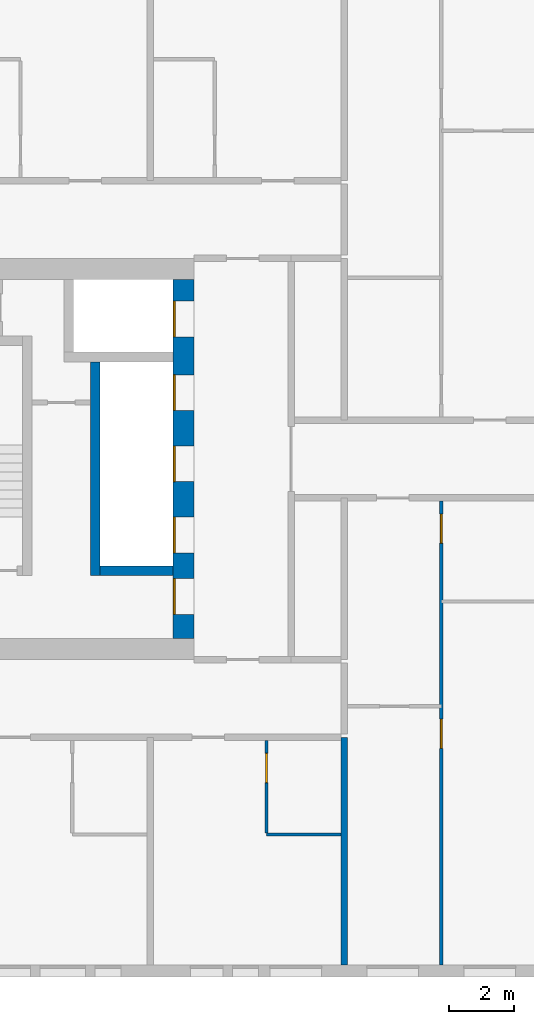
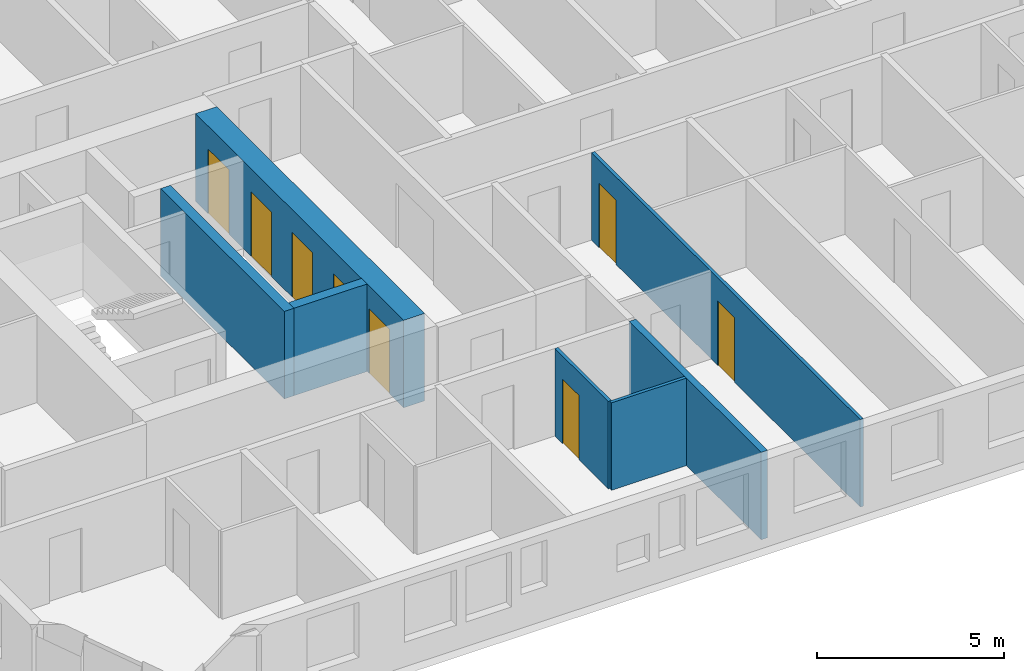
# One storey, part 3 of 17: 8 doors, 7 walls, 8 openings.
"""IFC4 building model written with IfcOpenShell, lengths in metres."""

import ifcopenshell
import ifcopenshell.guid

model = None  # the IFC model being written
_history = None  # IfcOwnerHistory: only IFC2X3 demands one
_inside = {}  # id of a spatial element -> (the spatial element, [elements in it])
_under = {}  # id of a project, library or spatial element -> (it, [spatial elements below it])
_declared = {}  # id of a project -> (the project, [libraries it declares])
_typed = {}  # id of a type object -> (the type object, [elements of that type])
_made_of = {}  # id of a material, layer set ... -> (it, [elements and type objects made of it])


def new_model(schema):
    """Start an empty IFC model of exactly this schema.

    Asked for "IFC4X3", IfcOpenShell would pick the latest addendum, in which some entities
    have other attributes; the version numbers below select the first issue.
    IFC2X3 requires an IfcOwnerHistory on every rooted entity: one is made here for all.
    """
    global model, _history
    if schema == "IFC4X3":
        model = ifcopenshell.file(schema_version=(4, 3, 0, 0))
    else:
        model = ifcopenshell.file(schema=schema)
    _inside.clear()
    _under.clear()
    _declared.clear()
    _typed.clear()
    _made_of.clear()
    _history = None
    if model.schema == "IFC2X3":
        org = make("IfcOrganization", Name="unknown")
        user = make(
            "IfcPersonAndOrganization",
            ThePerson=make("IfcPerson", FamilyName="unknown"),
            TheOrganization=org,
        )
        app = make(
            "IfcApplication",
            ApplicationDeveloper=org,
            Version="unknown",
            ApplicationFullName="unknown",
            ApplicationIdentifier="unknown",
        )
        _history = make(
            "IfcOwnerHistory",
            OwningUser=user,
            OwningApplication=app,
            ChangeAction="ADDED",
            CreationDate=0,
        )
    return model


def make(cls, **values):
    """One entity of the class cls with the attributes given. An attribute that is None is left unset."""
    return model.create_entity(
        cls, **{name: value for name, value in values.items() if value is not None}
    )


def rooted(cls, **values):
    """An entity with a GlobalId (a new one), such as an element, a storey or a relation."""
    return make(cls, GlobalId=ifcopenshell.guid.new(), OwnerHistory=_history, **values)


def si_unit(unit_type, name, prefix=None):
    """IfcSIUnit, for example si_unit("LENGTHUNIT", "METRE", prefix="MILLI")."""
    return make("IfcSIUnit", UnitType=unit_type, Prefix=prefix, Name=name)


def assignment(units):
    """IfcUnitAssignment: the units of a project."""
    return None if units is None else make("IfcUnitAssignment", Units=units)


def point(xyz):
    """IfcCartesianPoint."""
    return None if xyz is None else make("IfcCartesianPoint", Coordinates=xyz)


def direction(xyz):
    """IfcDirection."""
    return None if xyz is None else make("IfcDirection", DirectionRatios=xyz)


def frame(location, z_axis=None, x_axis=None):
    """IfcAxis2Placement3D, a coordinate frame: its origin and axes. An axis left out is left unset."""
    return make(
        "IfcAxis2Placement3D",
        Location=point(location),
        Axis=direction(z_axis),
        RefDirection=direction(x_axis),
    )


def frame_2d(location, x_axis=None):
    """IfcAxis2Placement2D, a coordinate frame in the plane: its origin and x axis."""
    return make(
        "IfcAxis2Placement2D", Location=point(location), RefDirection=direction(x_axis)
    )


def origin():
    """The frame at (0, 0, 0) with its axes left unset."""
    return frame((0.0, 0.0, 0.0))


def place(relative_to, where):
    """IfcLocalPlacement: puts the frame where relative to a parent placement (None: the world)."""
    return make(
        "IfcLocalPlacement", PlacementRelTo=relative_to, RelativePlacement=where
    )


def context(
    kind, dimensions, precision=None, world=None, true_north=None, identifier=None
):
    """IfcGeometricRepresentationContext, for example the 3D "Model" context."""
    return make(
        "IfcGeometricRepresentationContext",
        ContextIdentifier=identifier,
        ContextType=kind,
        CoordinateSpaceDimension=dimensions,
        Precision=precision,
        WorldCoordinateSystem=world,
        TrueNorth=true_north,
    )


def subcontext(parent, identifier, kind, view, scale=None):
    """IfcGeometricRepresentationSubContext, for example "Body" below "Model"."""
    return make(
        "IfcGeometricRepresentationSubContext",
        ContextIdentifier=identifier,
        ContextType=kind,
        ParentContext=parent,
        TargetScale=scale,
        TargetView=view,
    )


def project(units=None, contexts=None):
    """IfcProject with its units and contexts."""
    return rooted(
        "IfcProject",
        Name="project",
        RepresentationContexts=contexts,
        UnitsInContext=assignment(units),
    )


def spatial(cls, under=None, at=None, **own):
    """A site, building, storey or space (cls), placed at a placement, below another one or the project."""
    s = rooted(cls, ObjectPlacement=at, **own)
    if under is not None:
        _under.setdefault(under.id(), (under, []))[1].append(s)
    return s


def profile(cls, at=None, kind="AREA", **sizes):
    """A parametric profile (cls). Its sizes go by their IFC names, for example OverallWidth=200.0."""
    return make(cls, ProfileType=kind, Position=at, **sizes)


def rectangle(**sizes):
    """IfcRectangleProfileDef."""
    return profile("IfcRectangleProfileDef", **sizes)


def extrude(swept, where, along, depth):
    """IfcExtrudedAreaSolid: the profile swept, set in the frame where, extruded along a direction by depth."""
    return make(
        "IfcExtrudedAreaSolid",
        SweptArea=swept,
        Position=where,
        ExtrudedDirection=direction(along),
        Depth=depth,
    )


def shape(context_of_items, identifier, shape_type, items):
    """IfcShapeRepresentation: the items that make up one representation, for example the "Body"."""
    return make(
        "IfcShapeRepresentation",
        ContextOfItems=context_of_items,
        RepresentationIdentifier=identifier,
        RepresentationType=shape_type,
        Items=items,
    )


def material(Name=None, Category=None):
    """IfcMaterial."""
    return make("IfcMaterial", Name=Name, Category=Category)


def layer(
    of_material, thickness, ventilated=None, Name=None, Category=None, Priority=None
):
    """IfcMaterialLayer: one layer of a wall or slab, of a material (None: an air gap)."""
    return make(
        "IfcMaterialLayer",
        Material=of_material,
        LayerThickness=thickness,
        IsVentilated=ventilated,
        Name=Name,
        Category=Category,
        Priority=Priority,
    )


def layer_set(layers, Name=None):
    """IfcMaterialLayerSet."""
    return make("IfcMaterialLayerSet", MaterialLayers=layers, LayerSetName=Name)


def made_of(thing, what):
    """Note that an element or type object is made of a material, layer set ...; save() writes the relation."""
    if what is not None:
        _made_of.setdefault(what.id(), (what, []))[1].append(thing)
    return thing


def type_object(cls, material=None, **own):
    """A type object (cls), such as IfcWallType, which elements share."""
    return made_of(rooted(cls, **own), material)


def element(
    cls,
    number,
    at=None,
    inside=None,
    cuts=None,
    type_object=None,
    material=None,
    context=None,
    identifier="Body",
    shape_type=None,
    held_by="IfcProductDefinitionShape",
    body=None,
    shapes=None,
    **own,
):
    """One element of the class cls, such as IfcWall. Its Tag is "e" and its number.

    at: its placement. inside: the storey or other place that contains it. cuts: it is an
    opening in that element (IfcRelVoidsElement). A single representation is given by context,
    identifier, shape_type and body (its items); several are given by shapes. held_by: the class
    of the entity that holds the representations. save() writes the other relations.
    """
    e = rooted(cls, Tag="e%d" % number, ObjectPlacement=at, **own)
    if body is not None:
        shapes = [shape(context, identifier, shape_type, body)]
    if shapes is not None:
        e.Representation = make(held_by, Representations=shapes)
    if inside is not None:
        _inside.setdefault(inside.id(), (inside, []))[1].append(e)
    if cuts is not None:
        rooted(
            "IfcRelVoidsElement", RelatingBuildingElement=cuts, RelatedOpeningElement=e
        )
    if type_object is not None:
        _typed.setdefault(type_object.id(), (type_object, []))[1].append(e)
    return made_of(e, material)


def fill(opening, filler):
    """IfcRelFillsElement: the door or window that sits in an opening."""
    return rooted(
        "IfcRelFillsElement",
        RelatingOpeningElement=opening,
        RelatedBuildingElement=filler,
    )


def aggregate(whole, parts):
    """IfcRelAggregates: a whole, such as a stair, and the parts it consists of."""
    return rooted("IfcRelAggregates", RelatingObject=whole, RelatedObjects=parts)


def save(model, path):
    """Write the relations noted so far, then the file.

    IfcRelAggregates (storeys below a building ...), IfcRelContainedInSpatialStructure (elements
    in a storey), IfcRelDefinesByType, IfcRelAssociatesMaterial and IfcRelDeclares: one each for
    every whole, place, type object, material and project.
    """
    for whole, parts in _under.values():
        aggregate(whole, parts)
    for where, things in _inside.values():
        rooted(
            "IfcRelContainedInSpatialStructure",
            RelatedElements=things,
            RelatingStructure=where,
        )
    for kind, things in _typed.values():
        rooted("IfcRelDefinesByType", RelatedObjects=things, RelatingType=kind)
    for what, things in _made_of.values():
        rooted("IfcRelAssociatesMaterial", RelatedObjects=things, RelatingMaterial=what)
    for by, libraries in _declared.values():
        rooted("IfcRelDeclares", RelatingContext=by, RelatedDefinitions=libraries)
    model.write(path)


model = new_model("IFC4")

# Units and contexts
model_context = context("Model", 3, precision=1e-05, world=origin(), true_north=direction((0.0, 1.0)))
body_context = subcontext(model_context, "Body", "Model", "MODEL_VIEW")
ifc_project = project(units=[si_unit("LENGTHUNIT", "METRE"), si_unit("AREAUNIT", "SQUARE_METRE"), si_unit("VOLUMEUNIT", "CUBIC_METRE"), si_unit("PLANEANGLEUNIT", "RADIAN"), si_unit("MASSUNIT", "GRAM", prefix="KILO")], contexts=[model_context])

# Site, building, storey
site_placement = place(None, origin())
site = spatial("IfcSite", under=ifc_project, at=site_placement, CompositionType="ELEMENT")
building_placement = place(site_placement, origin())
building = spatial("IfcBuilding", under=site, at=building_placement, Name="Tuart Gate Housing", CompositionType="ELEMENT")
storey_placement = place(building_placement, frame((0.0, 0.0, 105.699951171875)))
storey = spatial("IfcBuildingStorey", under=building, at=storey_placement, Name="L29", CompositionType="ELEMENT", Elevation=105.699951171875)

# Walls
ifc_material_1 = material(Name="Concrete C50", Category="concrete")
ifc_layer_1 = layer(ifc_material_1, 0.300048828125)
ifc_layer_set_1 = layer_set([ifc_layer_1], Name="Core wall 300 C50")
wall_type_1 = type_object("IfcWallType", Name="Core wall 300 C50", PredefinedType="SHEAR", material=ifc_layer_set_1)
wall_1_placement = place(storey_placement, frame((40.7099609375, 66.550048828125, 0.0), z_axis=(0.0, 0.0, 1.0), x_axis=(-1.0, 0.0, 0.0)))
element("IfcWall", 1, at=wall_1_placement, inside=storey, type_object=wall_type_1, Name="Core wall AK.4", PredefinedType="SHEAR", context=body_context, shape_type="SweptSolid", body=[
    extrude(rectangle(XDim=2.25, YDim=0.300048828125, at=frame_2d((1.125, 0.0))), origin(), (0.0, 0.0, 1.0), 2.85009765625),
])
wall_2_placement = place(storey_placement, frame((38.31005859375, 73.0, 0.0), z_axis=(0.0, 0.0, 1.0), x_axis=(0.0, -1.0, 0.0)))
element("IfcWall", 2, at=wall_2_placement, inside=storey, type_object=wall_type_1, Name="Core wall AK.6", PredefinedType="SHEAR", context=body_context, shape_type="SweptSolid", body=[
    extrude(rectangle(XDim=6.60009765625, YDim=0.300048828125, at=frame_2d((3.300048828125, 0.0))), origin(), (0.0, 0.0, 1.0), 2.85009765625),
])

# Wall, openings, doors
ifc_material_2 = material(Name="Concrete C50", Category="concrete")
ifc_layer_2 = layer(ifc_material_2, 0.64990234375)
ifc_layer_set_2 = layer_set([ifc_layer_2], Name="Core wall 650 C50")
wall_type_2 = type_object("IfcWallType", Name="Core wall 650 C50", PredefinedType="SHEAR", material=ifc_layer_set_2)
wall_3_placement = place(storey_placement, frame((41.034912109375, 75.550048828125, 0.0), z_axis=(0.0, 0.0, 1.0), x_axis=(0.0, -1.0, 0.0)))
wall_3 = element("IfcWall", 3, at=wall_3_placement, inside=storey, type_object=wall_type_2, Name="Core wall AK front", PredefinedType="SHEAR", context=body_context, shape_type="SweptSolid", body=[
    extrude(rectangle(XDim=11.10009765625, YDim=0.64990234375, at=frame_2d((5.550048828125, 0.0))), origin(), (0.0, 0.0, 1.0), 2.85009765625),
])
opening_1_placement = place(wall_3_placement, frame((0.675048828125, 0.0, 0.0)))
opening_1 = element("IfcOpeningElement", 4, at=opening_1_placement, cuts=wall_3, Name="Opening LD-FA2", PredefinedType="OPENING", context=body_context, shape_type="SweptSolid", body=[
    extrude(rectangle(XDim=1.10009765625, YDim=2.10009765625, at=frame_2d((0.550048828125, 1.050048828125))), frame((0.0, 0.3349609375, 0.0), z_axis=(0.0, -1.0, 0.0), x_axis=(1.0, 0.0, 0.0)), (0.0, 0.0, 1.0), 0.669921875),
])
opening_2_placement = place(wall_3_placement, frame((2.949951171875, 0.0, 0.0)))
opening_2 = element("IfcOpeningElement", 5, at=opening_2_placement, cuts=wall_3, Name="Opening LD-LA4", PredefinedType="OPENING", context=body_context, shape_type="SweptSolid", body=[
    extrude(rectangle(XDim=1.10009765625, YDim=2.10009765625, at=frame_2d((0.550048828125, 1.050048828125))), frame((0.0, 0.3349609375, 0.0), z_axis=(0.0, -1.0, 0.0), x_axis=(1.0, 0.0, 0.0)), (0.0, 0.0, 1.0), 0.669921875),
])
opening_3_placement = place(wall_3_placement, frame((5.14990234375, 0.0, 0.0)))
opening_3 = element("IfcOpeningElement", 6, at=opening_3_placement, cuts=wall_3, Name="Opening LD-LA5", PredefinedType="OPENING", context=body_context, shape_type="SweptSolid", body=[
    extrude(rectangle(XDim=1.10009765625, YDim=2.10009765625, at=frame_2d((0.550048828125, 1.050048828125))), frame((0.0, 0.3349609375, 0.0), z_axis=(0.0, -1.0, 0.0), x_axis=(1.0, 0.0, 0.0)), (0.0, 0.0, 1.0), 0.669921875),
])
opening_4_placement = place(wall_3_placement, frame((7.35009765625, 0.0, 0.0)))
opening_4 = element("IfcOpeningElement", 7, at=opening_4_placement, cuts=wall_3, Name="Opening LD-LA6", PredefinedType="OPENING", context=body_context, shape_type="SweptSolid", body=[
    extrude(rectangle(XDim=1.10009765625, YDim=2.10009765625, at=frame_2d((0.550048828125, 1.050048828125))), frame((0.0, 0.3349609375, 0.0), z_axis=(0.0, -1.0, 0.0), x_axis=(1.0, 0.0, 0.0)), (0.0, 0.0, 1.0), 0.669921875),
])
opening_5_placement = place(wall_3_placement, frame((9.25, 0.0, 0.0)))
opening_5 = element("IfcOpeningElement", 8, at=opening_5_placement, cuts=wall_3, Name="Opening D1207", PredefinedType="OPENING", context=body_context, shape_type="SweptSolid", body=[
    extrude(rectangle(XDim=1.10009765625, YDim=2.10009765625, at=frame_2d((0.550048828125, 1.050048828125))), frame((0.0, 0.3349609375, 0.0), z_axis=(0.0, -1.0, 0.0), x_axis=(1.0, 0.0, 0.0)), (0.0, 0.0, 1.0), 0.669921875),
])
ifc_material_3 = material(Name="Stainless steel", Category="steel")
door_type_1 = type_object("IfcDoorType", Name="Landing door 1100 x 2100", OperationType="DOUBLE_DOOR_SLIDING", PredefinedType="DOOR", material=ifc_material_3)
door_1_placement = place(opening_1_placement, origin())
door_1 = element("IfcDoor", 9, at=door_1_placement, inside=storey, type_object=door_type_1, Name="Lift landing door FA2", OperationType="DOUBLE_DOOR_SLIDING", OverallHeight=2.10009765625, OverallWidth=1.10009765625, PredefinedType="DOOR", context=body_context, shape_type="SweptSolid", body=[
    extrude(rectangle(XDim=1.10009765625, YDim=2.10009765625, at=frame_2d((0.550048828125, 1.050048828125))), frame((0.0, -0.259765625, 0.0), z_axis=(0.0, -1.0, 0.0), x_axis=(1.0, 0.0, 0.0)), (0.0, 0.0, 1.0), 0.050048828125),
])
fill(opening_1, door_1)
door_2_placement = place(opening_2_placement, origin())
door_2 = element("IfcDoor", 10, at=door_2_placement, inside=storey, type_object=door_type_1, Name="Lift landing door LA4", OperationType="DOUBLE_DOOR_SLIDING", OverallHeight=2.10009765625, OverallWidth=1.10009765625, PredefinedType="DOOR", context=body_context, shape_type="SweptSolid", body=[
    extrude(rectangle(XDim=1.10009765625, YDim=2.10009765625, at=frame_2d((0.550048828125, 1.050048828125))), frame((0.0, -0.259765625, 0.0), z_axis=(0.0, -1.0, 0.0), x_axis=(1.0, 0.0, 0.0)), (0.0, 0.0, 1.0), 0.050048828125),
])
fill(opening_2, door_2)
door_3_placement = place(opening_3_placement, origin())
door_3 = element("IfcDoor", 11, at=door_3_placement, inside=storey, type_object=door_type_1, Name="Lift landing door LA5", OperationType="DOUBLE_DOOR_SLIDING", OverallHeight=2.10009765625, OverallWidth=1.10009765625, PredefinedType="DOOR", context=body_context, shape_type="SweptSolid", body=[
    extrude(rectangle(XDim=1.10009765625, YDim=2.10009765625, at=frame_2d((0.550048828125, 1.050048828125))), frame((0.0, -0.259765625, 0.0), z_axis=(0.0, -1.0, 0.0), x_axis=(1.0, 0.0, 0.0)), (0.0, 0.0, 1.0), 0.050048828125),
])
fill(opening_3, door_3)
door_4_placement = place(opening_4_placement, origin())
door_4 = element("IfcDoor", 12, at=door_4_placement, inside=storey, type_object=door_type_1, Name="Lift landing door LA6", OperationType="DOUBLE_DOOR_SLIDING", OverallHeight=2.10009765625, OverallWidth=1.10009765625, PredefinedType="DOOR", context=body_context, shape_type="SweptSolid", body=[
    extrude(rectangle(XDim=1.10009765625, YDim=2.10009765625, at=frame_2d((0.550048828125, 1.050048828125))), frame((0.0, -0.259765625, 0.0), z_axis=(0.0, -1.0, 0.0), x_axis=(1.0, 0.0, 0.0)), (0.0, 0.0, 1.0), 0.050048828125),
])
fill(opening_4, door_4)
ifc_material_4 = material(Name="Steel fire door", Category="steel")
door_type_2 = type_object("IfcDoorType", Name="Lobby door 1100 x 2100 RH", OperationType="SINGLE_SWING_RIGHT", PredefinedType="DOOR", material=ifc_material_4)
door_5_placement = place(opening_5_placement, frame((1.10009765625, 0.0, 0.0), z_axis=(0.0, 0.0, 1.0), x_axis=(-1.0, 0.0, 0.0)))
door_5 = element("IfcDoor", 13, at=door_5_placement, inside=storey, type_object=door_type_2, Name="Lobby entry door AK.EN", OperationType="SINGLE_SWING_RIGHT", OverallHeight=2.10009765625, OverallWidth=1.10009765625, PredefinedType="DOOR", context=body_context, shape_type="SweptSolid", body=[
    extrude(rectangle(XDim=1.10009765625, YDim=2.10009765625, at=frame_2d((0.550048828125, 1.050048828125))), frame((0.0, 0.309814453125, 0.0), z_axis=(0.0, -1.0, 0.0), x_axis=(1.0, 0.0, 0.0)), (0.0, 0.0, 1.0), 0.050048828125),
])
fill(opening_5, door_5)

# Wall
ifc_material_5 = material(Name="Gypsum board on steel studs", Category="steel")
ifc_layer_3 = layer(ifc_material_5, 0.10009765625)
ifc_layer_set_3 = layer_set([ifc_layer_3], Name="Partition 100")
wall_type_3 = type_object("IfcWallType", Name="Partition 100", PredefinedType="PARTITIONING", material=ifc_layer_set_3)
wall_4_placement = place(storey_placement, frame((43.60009765625, 58.39990234375, 0.0), z_axis=(0.0, 0.0, 1.0), x_axis=(1.0, 0.0, 0.0)))
element("IfcWall", 14, at=wall_4_placement, inside=storey, type_object=wall_type_3, Name="Partition 100", PredefinedType="PARTITIONING", context=body_context, shape_type="SweptSolid", body=[
    extrude(rectangle(XDim=2.2998046875, YDim=0.10009765625, at=frame_2d((1.14990234375, 0.0))), origin(), (0.0, 0.0, 1.0), 2.85009765625),
])

# Wall, opening, door
wall_5_placement = place(storey_placement, frame((43.60009765625, 58.449951171875, 0.0), z_axis=(0.0, 0.0, 1.0), x_axis=(0.0, 1.0, 0.0)))
wall_5 = element("IfcWall", 15, at=wall_5_placement, inside=storey, type_object=wall_type_3, Name="Partition 100", PredefinedType="PARTITIONING", context=body_context, shape_type="SweptSolid", body=[
    extrude(rectangle(XDim=2.85009765625, YDim=0.10009765625, at=frame_2d((1.425048828125, 0.0))), origin(), (0.0, 0.0, 1.0), 2.85009765625),
])
opening_6_placement = place(wall_5_placement, frame((1.550048828125, 0.0, 0.0)))
opening_6 = element("IfcOpeningElement", 16, at=opening_6_placement, cuts=wall_5, Name="Opening D1234", PredefinedType="OPENING", context=body_context, shape_type="SweptSolid", body=[
    extrude(rectangle(XDim=0.89990234375, YDim=2.10009765625, at=frame_2d((0.449951171875, 1.050048828125))), frame((0.0, 0.06005859375, 0.0), z_axis=(0.0, -1.0, 0.0), x_axis=(1.0, 0.0, 0.0)), (0.0, 0.0, 1.0), 0.1201171875),
])
ifc_material_6 = material(Name="Timber door leaf in steel frame", Category="steel")
door_type_3 = type_object("IfcDoorType", Name="Bathroom door 900", OperationType="SINGLE_SWING_LEFT", PredefinedType="DOOR", material=ifc_material_6)
door_6_placement = place(opening_6_placement, frame((0.89990234375, 0.0, 0.0), z_axis=(0.0, 0.0, 1.0), x_axis=(-1.0, 0.0, 0.0)))
door_6 = element("IfcDoor", 17, at=door_6_placement, inside=storey, type_object=door_type_3, Name="Bathroom door", OperationType="SINGLE_SWING_LEFT", OverallHeight=2.10009765625, OverallWidth=0.89990234375, PredefinedType="DOOR", context=body_context, shape_type="SweptSolid", body=[
    extrude(rectangle(XDim=0.89990234375, YDim=2.10009765625, at=frame_2d((0.449951171875, 1.050048828125))), frame((0.0, 0.025146484375, 0.0), z_axis=(0.0, -1.0, 0.0), x_axis=(1.0, 0.0, 0.0)), (0.0, 0.0, 1.0), 0.050048828125),
])
fill(opening_6, door_6)

# Wall, openings, doors
wall_6_placement = place(storey_placement, frame((49.0, 54.360107421875, 0.0), z_axis=(0.0, 0.0, 1.0), x_axis=(0.0, 1.0, 0.0)))
wall_6 = element("IfcWall", 18, at=wall_6_placement, inside=storey, type_object=wall_type_3, Name="Partition 100", PredefinedType="PARTITIONING", context=body_context, shape_type="SweptSolid", body=[
    extrude(rectangle(XDim=14.33984375, YDim=0.10009765625, at=frame_2d((7.169921875, 0.0))), origin(), (0.0, 0.0, 1.0), 2.85009765625),
])
opening_7_placement = place(wall_6_placement, frame((6.699951171875, 0.0, 0.0)))
opening_7 = element("IfcOpeningElement", 19, at=opening_7_placement, cuts=wall_6, Name="Opening D1221", PredefinedType="OPENING", context=body_context, shape_type="SweptSolid", body=[
    extrude(rectangle(XDim=0.89990234375, YDim=2.10009765625, at=frame_2d((0.449951171875, 1.050048828125))), frame((0.0, 0.06005859375, 0.0), z_axis=(0.0, -1.0, 0.0), x_axis=(1.0, 0.0, 0.0)), (0.0, 0.0, 1.0), 0.1201171875),
])
opening_8_placement = place(wall_6_placement, frame((13.0400390625, 0.0, 0.0)))
opening_8 = element("IfcOpeningElement", 20, at=opening_8_placement, cuts=wall_6, Name="Opening D1220", PredefinedType="OPENING", context=body_context, shape_type="SweptSolid", body=[
    extrude(rectangle(XDim=0.89990234375, YDim=2.10009765625, at=frame_2d((0.449951171875, 1.050048828125))), frame((0.0, 0.06005859375, 0.0), z_axis=(0.0, -1.0, 0.0), x_axis=(1.0, 0.0, 0.0)), (0.0, 0.0, 1.0), 0.1201171875),
])
door_7_placement = place(opening_8_placement, frame((0.89990234375, 0.0, 0.0), z_axis=(0.0, 0.0, 1.0), x_axis=(-1.0, 0.0, 0.0)))
door_7 = element("IfcDoor", 21, at=door_7_placement, inside=storey, type_object=door_type_3, Name="Bathroom door", OperationType="SINGLE_SWING_LEFT", OverallHeight=2.10009765625, OverallWidth=0.89990234375, PredefinedType="DOOR", context=body_context, shape_type="SweptSolid", body=[
    extrude(rectangle(XDim=0.89990234375, YDim=2.10009765625, at=frame_2d((0.449951171875, 1.050048828125))), frame((0.0, 0.025146484375, 0.0), z_axis=(0.0, -1.0, 0.0), x_axis=(1.0, 0.0, 0.0)), (0.0, 0.0, 1.0), 0.050048828125),
])
fill(opening_8, door_7)
ifc_material_7 = material(Name="Timber door leaf in steel frame", Category="steel")
door_type_4 = type_object("IfcDoorType", Name="Internal door 900", OperationType="SINGLE_SWING_LEFT", PredefinedType="DOOR", material=ifc_material_7)
door_8_placement = place(opening_7_placement, frame((0.89990234375, 0.0, 0.0), z_axis=(0.0, 0.0, 1.0), x_axis=(-1.0, 0.0, 0.0)))
door_8 = element("IfcDoor", 22, at=door_8_placement, inside=storey, type_object=door_type_4, Name="Internal door", OperationType="SINGLE_SWING_LEFT", OverallHeight=2.10009765625, OverallWidth=0.89990234375, PredefinedType="DOOR", context=body_context, shape_type="SweptSolid", body=[
    extrude(rectangle(XDim=0.89990234375, YDim=2.10009765625, at=frame_2d((0.449951171875, 1.050048828125))), frame((0.0, 0.025146484375, 0.0), z_axis=(0.0, -1.0, 0.0), x_axis=(1.0, 0.0, 0.0)), (0.0, 0.0, 1.0), 0.050048828125),
])
fill(opening_7, door_8)

# Wall
ifc_material_8 = material(Name="Concrete C40", Category="concrete")
ifc_layer_4 = layer(ifc_material_8, 0.199951171875)
ifc_layer_set_4 = layer_set([ifc_layer_4], Name="Party wall concrete C40 200")
wall_type_4 = type_object("IfcWallType", Name="Party wall concrete C40 200", PredefinedType="SOLIDWALL", material=ifc_layer_set_4)
wall_7_placement = place(storey_placement, frame((46.0, 54.360107421875, 0.0), z_axis=(0.0, 0.0, 1.0), x_axis=(0.0, 1.0, 0.0)))
element("IfcWall", 23, at=wall_7_placement, inside=storey, type_object=wall_type_4, Name="Party wall concrete C40 200", PredefinedType="SOLIDWALL", context=body_context, shape_type="SweptSolid", body=[
    extrude(rectangle(XDim=7.039794921875, YDim=0.199951171875, at=frame_2d((3.52001953125, 0.0))), origin(), (0.0, 0.0, 1.0), 2.85009765625),
])

save(model, "model.ifc")
